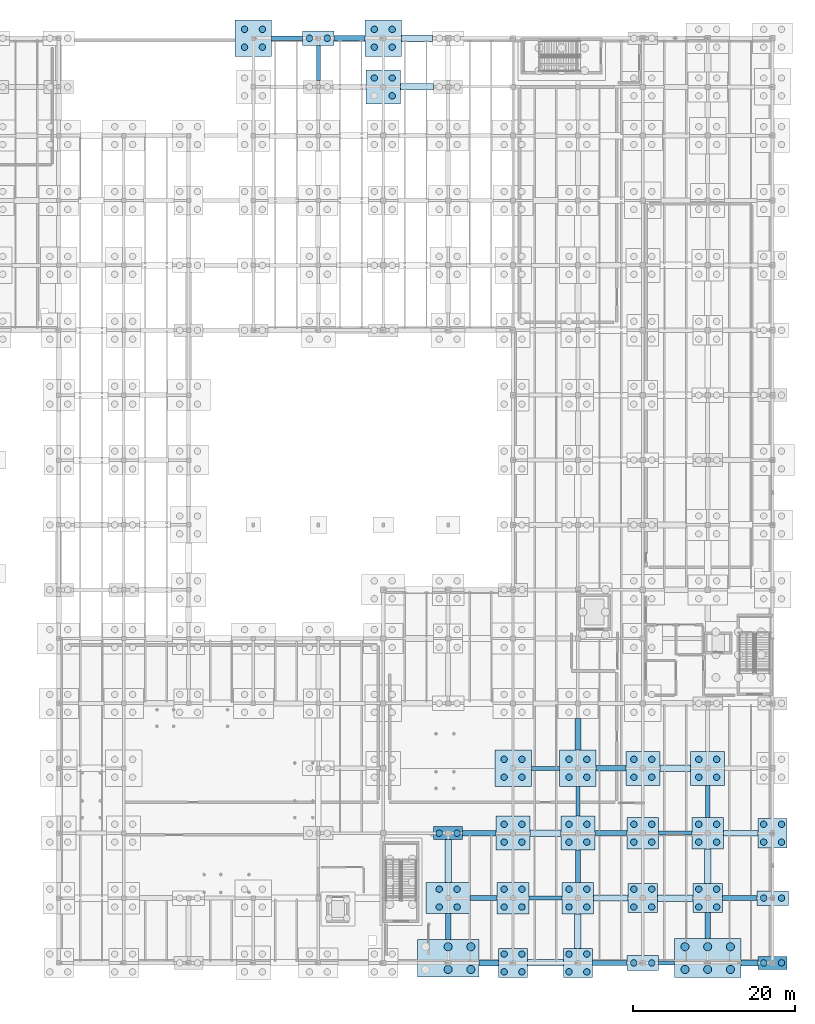
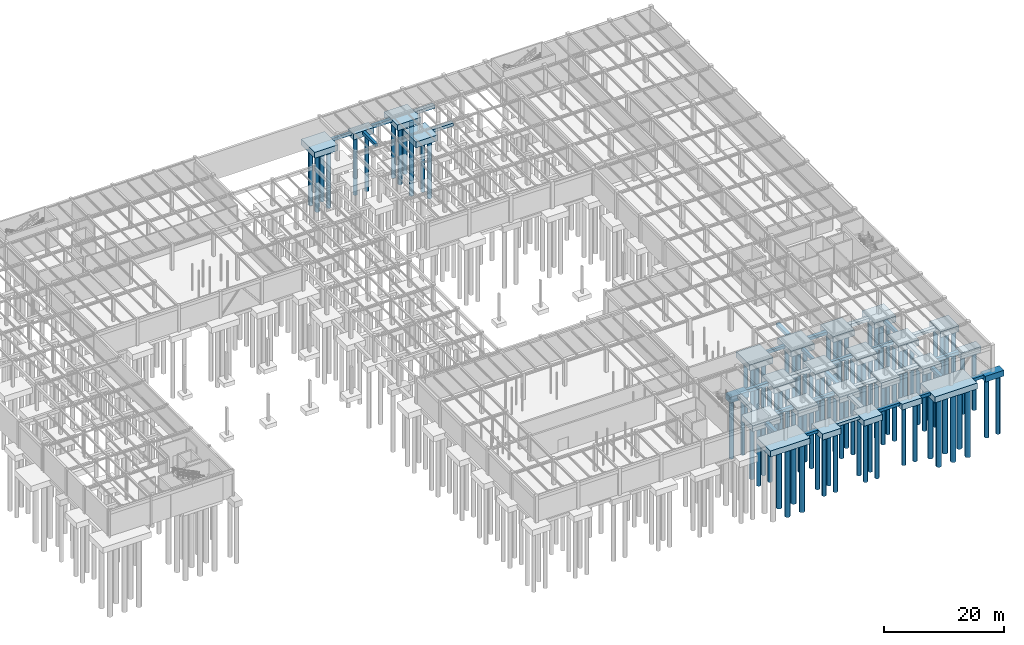
# One storey, part 7 of 71: 95 piles, 58 footings.
"""IFC4 building model written with IfcOpenShell, lengths in metres."""

from ifc_helpers import new_model, si_unit, direction, frame, origin, origin_2d, place, context, subcontext, project, spatial, rectangle, circle, extrude, material, material_profile, profile_set, type_object, element, save


model = new_model("IFC4")

# Units and contexts
model_context = context("Model", 3, precision=1e-05, world=origin(), true_north=direction((0.0, 1.0)))
body_context = subcontext(model_context, "Body", "Model", "MODEL_VIEW")
ifc_project = project(units=[si_unit("LENGTHUNIT", "METRE"), si_unit("AREAUNIT", "SQUARE_METRE"), si_unit("VOLUMEUNIT", "CUBIC_METRE"), si_unit("PLANEANGLEUNIT", "RADIAN"), si_unit("MASSUNIT", "GRAM", prefix="KILO")], contexts=[model_context])

# Site, building, storey
site_placement = place(None, origin())
site = spatial("IfcSite", under=ifc_project, at=site_placement, CompositionType="ELEMENT")
building_placement = place(site_placement, origin())
building = spatial("IfcBuilding", under=site, at=building_placement, Name="Sundkrona Museum", CompositionType="ELEMENT")
storey_placement = place(building_placement, frame((0.0, 0.0, -5.39990234375)))
storey = spatial("IfcBuildingStorey", under=building, at=storey_placement, Name="B1", CompositionType="ELEMENT", Elevation=-5.39990234375)

# Footings
ifc_material = material(Name="Concrete C40/50", Category="concrete")
footing_type_1 = type_object("IfcFootingType", Name="GB-500", PredefinedType="FOOTING_BEAM", material=ifc_material)
footing_1_placement = place(storey_placement, frame((154.925048828125, 0.0, -0.7001953125), z_axis=(0.0, 0.0, 1.0), x_axis=(1.0, 0.0, 0.0)))
element("IfcFooting", 1, at=footing_1_placement, inside=storey, type_object=footing_type_1, Name="Ground Tie Beam GB-X-010", PredefinedType="FOOTING_BEAM", context=body_context, shape_type="SweptSolid", body=[
    extrude(rectangle(XDim=1.949951171875, YDim=0.5, at=origin_2d()), origin(), (0.0, 0.0, 1.0), 0.60009765625),
])
for number, where, z_axis, x_axis, name in (
    (2, (140.0, 8.0, -0.7001953125), (0.0, 0.0, 1.0), (1.0, 0.0, 0.0), "Ground Tie Beam GB-X-018"),
    (3, (156.0, 16.0, -0.7001953125), (0.0, 0.0, 1.0), (1.0, 0.0, 0.0), "Ground Tie Beam GB-X-026"),
):
    element("IfcFooting", number, at=place(storey_placement, frame(where, z_axis=z_axis, x_axis=x_axis)), inside=storey, type_object=footing_type_1, Name=name, PredefinedType="FOOTING_BEAM", context=body_context, shape_type="SweptSolid", body=[
        extrude(rectangle(XDim=4.10009765625, YDim=0.5, at=origin_2d()), origin(), (0.0, 0.0, 1.0), 0.60009765625),
    ])
footing_2_placement = place(storey_placement, frame((140.0, 24.0, -0.7001953125), z_axis=(0.0, 0.0, 1.0), x_axis=(1.0, 0.0, 0.0)))
element("IfcFooting", 4, at=footing_2_placement, inside=storey, type_object=footing_type_1, Name="Ground Tie Beam GB-X-030", PredefinedType="FOOTING_BEAM", context=body_context, shape_type="SweptSolid", body=[
    extrude(rectangle(XDim=3.5, YDim=0.5, at=origin_2d()), origin(), (0.0, 0.0, 1.0), 0.60009765625),
])
footing_3_placement = place(storey_placement, frame((108.14990234375, 114.0, -0.7001953125), z_axis=(0.0, 0.0, 1.0), x_axis=(1.0, 0.0, 0.0)))
element("IfcFooting", 5, at=footing_3_placement, inside=storey, type_object=footing_type_1, Name="Ground Tie Beam GB-X-190", PredefinedType="FOOTING_BEAM", context=body_context, shape_type="SweptSolid", body=[
    extrude(rectangle(XDim=3.800048828125, YDim=0.5, at=origin_2d()), origin(), (0.0, 0.0, 1.0), 0.60009765625),
])
footing_4_placement = place(storey_placement, frame((112.0, 110.949951171875, -0.7001953125), z_axis=(0.0, 0.0, 1.0), x_axis=(0.0, 1.0, 0.0)))
element("IfcFooting", 6, at=footing_4_placement, inside=storey, type_object=footing_type_1, Name="Ground Tie Beam GB-Y-258", PredefinedType="FOOTING_BEAM", context=body_context, shape_type="SweptSolid", body=[
    extrude(rectangle(XDim=4.300048828125, YDim=0.5, at=origin_2d()), origin(), (0.0, 0.0, 1.0), 0.60009765625),
])
footing_5_placement = place(storey_placement, frame((144.0, 19.925048828125, -0.7001953125), z_axis=(0.0, 0.0, 1.0), x_axis=(0.0, 1.0, 0.0)))
element("IfcFooting", 7, at=footing_5_placement, inside=storey, type_object=footing_type_1, Name="Ground Tie Beam GB-Y-270", PredefinedType="FOOTING_BEAM", context=body_context, shape_type="SweptSolid", body=[
    extrude(rectangle(XDim=3.64990234375, YDim=0.5, at=origin_2d()), origin(), (0.0, 0.0, 1.0), 0.60009765625),
])
footing_type_2 = type_object("IfcFootingType", Name="GB-600", PredefinedType="FOOTING_BEAM", material=ifc_material)
footing_6_placement = place(storey_placement, frame((147.925048828125, 0.0, -0.7001953125), z_axis=(0.0, 0.0, 1.0), x_axis=(1.0, 0.0, 0.0)))
element("IfcFooting", 8, at=footing_6_placement, inside=storey, type_object=footing_type_2, Name="Ground Tie Beam GB-X-009", PredefinedType="FOOTING_BEAM", context=body_context, shape_type="SweptSolid", body=[
    extrude(rectangle(XDim=4.25, YDim=0.60009765625, at=origin_2d()), origin(), (0.0, 0.0, 1.0), 0.60009765625),
])
footing_7_placement = place(storey_placement, frame((132.375, 8.0, -0.7001953125), z_axis=(0.0, 0.0, 1.0), x_axis=(1.0, 0.0, 0.0)))
element("IfcFooting", 9, at=footing_7_placement, inside=storey, type_object=footing_type_2, Name="Ground Tie Beam GB-X-017", PredefinedType="FOOTING_BEAM", context=body_context, shape_type="SweptSolid", body=[
    extrude(rectangle(XDim=3.35009765625, YDim=0.60009765625, at=origin_2d()), origin(), (0.0, 0.0, 1.0), 0.60009765625),
])
footing_8_placement = place(storey_placement, frame((163.925048828125, 8.0, -0.7001953125), z_axis=(0.0, 0.0, 1.0), x_axis=(1.0, 0.0, 0.0)))
element("IfcFooting", 10, at=footing_8_placement, inside=storey, type_object=footing_type_2, Name="Ground Tie Beam GB-X-021", PredefinedType="FOOTING_BEAM", context=body_context, shape_type="SweptSolid", body=[
    extrude(rectangle(XDim=4.25, YDim=0.60009765625, at=origin_2d()), origin(), (0.0, 0.0, 1.0), 0.60009765625),
])
for number, where, z_axis, x_axis, name in (
    (11, (148.074951171875, 16.0, -0.7001953125), (0.0, 0.0, 1.0), (1.0, 0.0, 0.0), "Ground Tie Beam GB-X-025"),
    (12, (144.0, 11.925048828125, -0.7001953125), (0.0, 0.0, 1.0), (0.0, 1.0, 0.0), "Ground Tie Beam GB-Y-269"),
    (13, (160.0, 19.925048828125, -0.7001953125), (0.0, 0.0, 1.0), (0.0, 1.0, 0.0), "Ground Tie Beam GB-Y-281"),
):
    element("IfcFooting", number, at=place(storey_placement, frame(where, z_axis=z_axis, x_axis=x_axis)), inside=storey, type_object=footing_type_2, Name=name, PredefinedType="FOOTING_BEAM", context=body_context, shape_type="SweptSolid", body=[
        extrude(rectangle(XDim=3.949951171875, YDim=0.60009765625, at=origin_2d()), origin(), (0.0, 0.0, 1.0), 0.60009765625),
    ])
footing_type_3 = type_object("IfcFootingType", Name="GB-700", PredefinedType="FOOTING_BEAM", material=ifc_material)
footing_9_placement = place(storey_placement, frame((133.0, 0.0, -0.7001953125), z_axis=(0.0, 0.0, 1.0), x_axis=(1.0, 0.0, 0.0)))
element("IfcFooting", 14, at=footing_9_placement, inside=storey, type_object=footing_type_3, Name="Ground Tie Beam GB-X-007", PredefinedType="FOOTING_BEAM", context=body_context, shape_type="SweptSolid", body=[
    extrude(rectangle(XDim=2.39990234375, YDim=0.699951171875, at=origin_2d()), origin(), (0.0, 0.0, 1.0), 0.60009765625),
])
footing_10_placement = place(storey_placement, frame((165.14990234375, 0.0, -0.7001953125), z_axis=(0.0, 0.0, 1.0), x_axis=(1.0, 0.0, 0.0)))
element("IfcFooting", 15, at=footing_10_placement, inside=storey, type_object=footing_type_3, Name="Ground Tie Beam GB-X-011", PredefinedType="FOOTING_BEAM", context=body_context, shape_type="SweptSolid", body=[
    extrude(rectangle(XDim=2.10009765625, YDim=0.699951171875, at=origin_2d()), origin(), (0.0, 0.0, 1.0), 0.60009765625),
])
footing_11_placement = place(storey_placement, frame((148.074951171875, 8.0, -0.7001953125), z_axis=(0.0, 0.0, 1.0), x_axis=(1.0, 0.0, 0.0)))
element("IfcFooting", 16, at=footing_11_placement, inside=storey, type_object=footing_type_3, Name="Ground Tie Beam GB-X-019", PredefinedType="FOOTING_BEAM", context=body_context, shape_type="SweptSolid", body=[
    extrude(rectangle(XDim=4.25, YDim=0.699951171875, at=origin_2d()), origin(), (0.0, 0.0, 1.0), 0.60009765625),
])
footing_12_placement = place(storey_placement, frame((131.85009765625, 16.0, -0.7001953125), z_axis=(0.0, 0.0, 1.0), x_axis=(1.0, 0.0, 0.0)))
element("IfcFooting", 17, at=footing_12_placement, inside=storey, type_object=footing_type_3, Name="Ground Tie Beam GB-X-023", PredefinedType="FOOTING_BEAM", context=body_context, shape_type="SweptSolid", body=[
    extrude(rectangle(XDim=4.10009765625, YDim=0.699951171875, at=origin_2d()), origin(), (0.0, 0.0, 1.0), 0.60009765625),
])
footing_13_placement = place(storey_placement, frame((164.074951171875, 16.0, -0.7001953125), z_axis=(0.0, 0.0, 1.0), x_axis=(1.0, 0.0, 0.0)))
element("IfcFooting", 18, at=footing_13_placement, inside=storey, type_object=footing_type_3, Name="Ground Tie Beam GB-X-027", PredefinedType="FOOTING_BEAM", context=body_context, shape_type="SweptSolid", body=[
    extrude(rectangle(XDim=4.25, YDim=0.699951171875, at=origin_2d()), origin(), (0.0, 0.0, 1.0), 0.60009765625),
])
footing_14_placement = place(storey_placement, frame((148.074951171875, 24.0, -0.7001953125), z_axis=(0.0, 0.0, 1.0), x_axis=(1.0, 0.0, 0.0)))
element("IfcFooting", 19, at=footing_14_placement, inside=storey, type_object=footing_type_3, Name="Ground Tie Beam GB-X-031", PredefinedType="FOOTING_BEAM", context=body_context, shape_type="SweptSolid", body=[
    extrude(rectangle(XDim=3.64990234375, YDim=0.699951171875, at=origin_2d()), origin(), (0.0, 0.0, 1.0), 0.60009765625),
])
footing_15_placement = place(storey_placement, frame((115.85009765625, 114.0, -0.7001953125), z_axis=(0.0, 0.0, 1.0), x_axis=(1.0, 0.0, 0.0)))
element("IfcFooting", 20, at=footing_15_placement, inside=storey, type_object=footing_type_3, Name="Ground Tie Beam GB-X-191", PredefinedType="FOOTING_BEAM", context=body_context, shape_type="SweptSolid", body=[
    extrude(rectangle(XDim=3.800048828125, YDim=0.699951171875, at=origin_2d()), origin(), (0.0, 0.0, 1.0), 0.60009765625),
])
footing_16_placement = place(storey_placement, frame((128.0, 4.5, -0.7001953125), z_axis=(0.0, 0.0, 1.0), x_axis=(0.0, 1.0, 0.0)))
element("IfcFooting", 21, at=footing_16_placement, inside=storey, type_object=footing_type_3, Name="Ground Tie Beam GB-Y-259", PredefinedType="FOOTING_BEAM", context=body_context, shape_type="SweptSolid", body=[
    extrude(rectangle(XDim=3.199951171875, YDim=0.699951171875, at=origin_2d()), origin(), (0.0, 0.0, 1.0), 0.60009765625),
])
footing_17_placement = place(storey_placement, frame((144.0, 28.199951171875, -0.7001953125), z_axis=(0.0, 0.0, 1.0), x_axis=(0.0, 1.0, 0.0)))
element("IfcFooting", 22, at=footing_17_placement, inside=storey, type_object=footing_type_3, Name="Ground Tie Beam GB-Y-271", PredefinedType="FOOTING_BEAM", context=body_context, shape_type="SweptSolid", body=[
    extrude(rectangle(XDim=3.89990234375, YDim=0.699951171875, at=origin_2d()), origin(), (0.0, 0.0, 1.0), 0.60009765625),
])
footing_18_placement = place(storey_placement, frame((160.0, 4.60009765625, -0.7001953125), z_axis=(0.0, 0.0, 1.0), x_axis=(0.0, 1.0, 0.0)))
element("IfcFooting", 23, at=footing_18_placement, inside=storey, type_object=footing_type_3, Name="Ground Tie Beam GB-Y-279", PredefinedType="FOOTING_BEAM", context=body_context, shape_type="SweptSolid", body=[
    extrude(rectangle(XDim=3.199951171875, YDim=0.699951171875, at=origin_2d()), origin(), (0.0, 0.0, 1.0), 0.60009765625),
])
footing_type_4 = type_object("IfcFootingType", Name="GB-800", PredefinedType="FOOTING_BEAM", material=ifc_material)
for number, where, z_axis, x_axis, name in (
    (24, (140.0, 0.0, -0.7001953125), (0.0, 0.0, 1.0), (1.0, 0.0, 0.0), "Ground Tie Beam GB-X-008"),
    (25, (156.0, 8.0, -0.7001953125), (0.0, 0.0, 1.0), (1.0, 0.0, 0.0), "Ground Tie Beam GB-X-020"),
):
    element("IfcFooting", number, at=place(storey_placement, frame(where, z_axis=z_axis, x_axis=x_axis)), inside=storey, type_object=footing_type_4, Name=name, PredefinedType="FOOTING_BEAM", context=body_context, shape_type="SweptSolid", body=[
        extrude(rectangle(XDim=4.39990234375, YDim=0.800048828125, at=origin_2d()), origin(), (0.0, 0.0, 1.0), 0.60009765625),
    ])
for number, where, z_axis, x_axis, name in (
    (26, (140.0, 16.0, -0.7001953125), (0.0, 0.0, 1.0), (1.0, 0.0, 0.0), "Ground Tie Beam GB-X-024"),
    (27, (156.0, 24.0, -0.7001953125), (0.0, 0.0, 1.0), (1.0, 0.0, 0.0), "Ground Tie Beam GB-X-032"),
):
    element("IfcFooting", number, at=place(storey_placement, frame(where, z_axis=z_axis, x_axis=x_axis)), inside=storey, type_object=footing_type_4, Name=name, PredefinedType="FOOTING_BEAM", context=body_context, shape_type="SweptSolid", body=[
        extrude(rectangle(XDim=3.800048828125, YDim=0.800048828125, at=origin_2d()), origin(), (0.0, 0.0, 1.0), 0.60009765625),
    ])
footing_19_placement = place(storey_placement, frame((124.14990234375, 108.0, -0.7001953125), z_axis=(0.0, 0.0, 1.0), x_axis=(1.0, 0.0, 0.0)))
element("IfcFooting", 28, at=footing_19_placement, inside=storey, type_object=footing_type_4, Name="Ground Tie Beam GB-X-180", PredefinedType="FOOTING_BEAM", context=body_context, shape_type="SweptSolid", body=[
    extrude(rectangle(XDim=4.10009765625, YDim=0.800048828125, at=origin_2d()), origin(), (0.0, 0.0, 1.0), 0.60009765625),
])
footing_20_placement = place(storey_placement, frame((124.14990234375, 114.0, -0.7001953125), z_axis=(0.0, 0.0, 1.0), x_axis=(1.0, 0.0, 0.0)))
element("IfcFooting", 29, at=footing_20_placement, inside=storey, type_object=footing_type_4, Name="Ground Tie Beam GB-X-192", PredefinedType="FOOTING_BEAM", context=body_context, shape_type="SweptSolid", body=[
    extrude(rectangle(XDim=3.800048828125, YDim=0.800048828125, at=origin_2d()), origin(), (0.0, 0.0, 1.0), 0.60009765625),
])
footing_21_placement = place(storey_placement, frame((128.0, 12.550048828125, -0.7001953125), z_axis=(0.0, 0.0, 1.0), x_axis=(0.0, 1.0, 0.0)))
element("IfcFooting", 30, at=footing_21_placement, inside=storey, type_object=footing_type_4, Name="Ground Tie Beam GB-Y-260", PredefinedType="FOOTING_BEAM", context=body_context, shape_type="SweptSolid", body=[
    extrude(rectangle(XDim=5.300048828125, YDim=0.800048828125, at=origin_2d()), origin(), (0.0, 0.0, 1.0), 0.60009765625),
])
for number, where, z_axis, x_axis, name in (
    (31, (144.0, 3.925048828125, -0.7001953125), (0.0, 0.0, 1.0), (0.0, 1.0, 0.0), "Ground Tie Beam GB-Y-268"),
    (32, (160.0, 11.925048828125, -0.7001953125), (0.0, 0.0, 1.0), (0.0, 1.0, 0.0), "Ground Tie Beam GB-Y-280"),
):
    element("IfcFooting", number, at=place(storey_placement, frame(where, z_axis=z_axis, x_axis=x_axis)), inside=storey, type_object=footing_type_4, Name=name, PredefinedType="FOOTING_BEAM", context=body_context, shape_type="SweptSolid", body=[
        extrude(rectangle(XDim=4.25, YDim=0.800048828125, at=origin_2d()), origin(), (0.0, 0.0, 1.0), 0.60009765625),
    ])

# Piles
ifc_material_profile_1 = material_profile(ifc_material, circle(Radius=0.5, at=origin_2d()), Name="PILE D1000")
ifc_profile_set_1 = profile_set([ifc_material_profile_1], Name="Concrete C40/50")
pile_type_1 = type_object("IfcPileType", Name="P-1000", PredefinedType="BORED", material=ifc_profile_set_1)
for number, where, z_axis, x_axis, name in (
    (33, (128.0, -0.800048828125, -1.150146484375), (0.0, 0.0, -1.0), (1.0, 0.0, 0.0), "Bored Pile FC-V1-SW-P02"),
    (34, (130.800048828125, -0.800048828125, -1.150146484375), (0.0, 0.0, -1.0), (1.0, 0.0, 0.0), "Bored Pile FC-V1-SW-P03"),
    (35, (128.0, 2.0, -1.150146484375), (0.0, 0.0, -1.0), (1.0, 0.0, 0.0), "Bored Pile FC-V1-SW-P05"),
    (36, (130.800048828125, 2.0, -1.150146484375), (0.0, 0.0, -1.0), (1.0, 0.0, 0.0), "Bored Pile FC-V1-SW-P06"),
    (37, (157.199951171875, -0.800048828125, -1.150146484375), (0.0, 0.0, -1.0), (1.0, 0.0, 0.0), "Bored Pile FC-V1-SE-P01"),
    (38, (160.0, -0.800048828125, -1.150146484375), (0.0, 0.0, -1.0), (1.0, 0.0, 0.0), "Bored Pile FC-V1-SE-P02"),
    (39, (162.800048828125, -0.800048828125, -1.150146484375), (0.0, 0.0, -1.0), (1.0, 0.0, 0.0), "Bored Pile FC-V1-SE-P03"),
    (40, (157.199951171875, 2.0, -1.150146484375), (0.0, 0.0, -1.0), (1.0, 0.0, 0.0), "Bored Pile FC-V1-SE-P04"),
    (41, (160.0, 2.0, -1.150146484375), (0.0, 0.0, -1.0), (1.0, 0.0, 0.0), "Bored Pile FC-V1-SE-P05"),
    (42, (162.800048828125, 2.0, -1.150146484375), (0.0, 0.0, -1.0), (1.0, 0.0, 0.0), "Bored Pile FC-V1-SE-P06"),
):
    element("IfcPile", number, at=place(storey_placement, frame(where, z_axis=z_axis, x_axis=x_axis)), inside=storey, type_object=pile_type_1, Name=name, PredefinedType="BORED", context=body_context, shape_type="SweptSolid", body=[
        extrude(circle(Radius=0.5, at=origin_2d()), origin(), (0.0, 0.0, 1.0), 14.0),
    ])
ifc_material_profile_2 = material_profile(ifc_material, circle(Radius=0.39990234375, at=origin_2d()), Name="PILE D800")
ifc_profile_set_2 = profile_set([ifc_material_profile_2], Name="Concrete C40/50")
pile_type_2 = type_object("IfcPileType", Name="P-800", PredefinedType="BORED", material=ifc_profile_set_2)
for number, where, z_axis, x_axis, name in (
    (43, (102.89990234375, 112.89990234375, -1.150146484375), (0.0, 0.0, -1.0), (1.0, 0.0, 0.0), "Bored Pile FC-R-14-P01"),
    (44, (105.10009765625, 112.89990234375, -1.150146484375), (0.0, 0.0, -1.0), (1.0, 0.0, 0.0), "Bored Pile FC-R-14-P02"),
    (45, (102.89990234375, 115.10009765625, -1.150146484375), (0.0, 0.0, -1.0), (1.0, 0.0, 0.0), "Bored Pile FC-R-14-P03"),
    (46, (105.10009765625, 115.10009765625, -1.150146484375), (0.0, 0.0, -1.0), (1.0, 0.0, 0.0), "Bored Pile FC-R-14-P04"),
    (47, (110.89990234375, 114.0, -1.150146484375), (0.0, 0.0, -1.0), (1.0, 0.0, 0.0), "Bored Pile FC-R-15-P01"),
    (48, (113.10009765625, 114.0, -1.150146484375), (0.0, 0.0, -1.0), (1.0, 0.0, 0.0), "Bored Pile FC-R-15-P02"),
    (49, (121.10009765625, 106.89990234375, -1.150146484375), (0.0, 0.0, -1.0), (1.0, 0.0, 0.0), "Bored Pile FC-Q-16-P02"),
    (50, (118.89990234375, 109.10009765625, -1.150146484375), (0.0, 0.0, -1.0), (1.0, 0.0, 0.0), "Bored Pile FC-Q-16-P03"),
    (51, (121.10009765625, 109.10009765625, -1.150146484375), (0.0, 0.0, -1.0), (1.0, 0.0, 0.0), "Bored Pile FC-Q-16-P04"),
    (52, (118.89990234375, 112.89990234375, -1.150146484375), (0.0, 0.0, -1.0), (1.0, 0.0, 0.0), "Bored Pile FC-R-16-P01"),
    (53, (121.10009765625, 112.89990234375, -1.150146484375), (0.0, 0.0, -1.0), (1.0, 0.0, 0.0), "Bored Pile FC-R-16-P02"),
    (54, (118.89990234375, 115.10009765625, -1.150146484375), (0.0, 0.0, -1.0), (1.0, 0.0, 0.0), "Bored Pile FC-R-16-P03"),
    (55, (121.10009765625, 115.10009765625, -1.150146484375), (0.0, 0.0, -1.0), (1.0, 0.0, 0.0), "Bored Pile FC-R-16-P04"),
    (56, (126.89990234375, 6.89990234375, -1.150146484375), (0.0, 0.0, -1.0), (1.0, 0.0, 0.0), "Bored Pile FC-B-17-P01"),
    (57, (129.10009765625, 6.89990234375, -1.150146484375), (0.0, 0.0, -1.0), (1.0, 0.0, 0.0), "Bored Pile FC-B-17-P02"),
    (58, (126.89990234375, 9.10009765625, -1.150146484375), (0.0, 0.0, -1.0), (1.0, 0.0, 0.0), "Bored Pile FC-B-17-P03"),
    (59, (129.10009765625, 9.10009765625, -1.150146484375), (0.0, 0.0, -1.0), (1.0, 0.0, 0.0), "Bored Pile FC-B-17-P04"),
    (60, (126.89990234375, 16.0, -1.150146484375), (0.0, 0.0, -1.0), (1.0, 0.0, 0.0), "Bored Pile FC-C-17-P01"),
    (61, (129.10009765625, 16.0, -1.150146484375), (0.0, 0.0, -1.0), (1.0, 0.0, 0.0), "Bored Pile FC-C-17-P02"),
    (62, (134.89990234375, -1.10009765625, -1.150146484375), (0.0, 0.0, -1.0), (1.0, 0.0, 0.0), "Bored Pile FC-A-18-P01"),
    (63, (137.10009765625, -1.10009765625, -1.150146484375), (0.0, 0.0, -1.0), (1.0, 0.0, 0.0), "Bored Pile FC-A-18-P02"),
    (64, (134.89990234375, 1.10009765625, -1.150146484375), (0.0, 0.0, -1.0), (1.0, 0.0, 0.0), "Bored Pile FC-A-18-P03"),
    (65, (137.10009765625, 1.10009765625, -1.150146484375), (0.0, 0.0, -1.0), (1.0, 0.0, 0.0), "Bored Pile FC-A-18-P04"),
    (66, (134.89990234375, 6.89990234375, -1.150146484375), (0.0, 0.0, -1.0), (1.0, 0.0, 0.0), "Bored Pile FC-B-18-P01"),
    (67, (137.10009765625, 6.89990234375, -1.150146484375), (0.0, 0.0, -1.0), (1.0, 0.0, 0.0), "Bored Pile FC-B-18-P02"),
    (68, (134.89990234375, 9.10009765625, -1.150146484375), (0.0, 0.0, -1.0), (1.0, 0.0, 0.0), "Bored Pile FC-B-18-P03"),
    (69, (137.10009765625, 9.10009765625, -1.150146484375), (0.0, 0.0, -1.0), (1.0, 0.0, 0.0), "Bored Pile FC-B-18-P04"),
    (70, (134.89990234375, 14.89990234375, -1.150146484375), (0.0, 0.0, -1.0), (1.0, 0.0, 0.0), "Bored Pile FC-C-18-P01"),
    (71, (137.10009765625, 14.89990234375, -1.150146484375), (0.0, 0.0, -1.0), (1.0, 0.0, 0.0), "Bored Pile FC-C-18-P02"),
    (72, (134.89990234375, 17.10009765625, -1.150146484375), (0.0, 0.0, -1.0), (1.0, 0.0, 0.0), "Bored Pile FC-C-18-P03"),
    (73, (137.10009765625, 17.10009765625, -1.150146484375), (0.0, 0.0, -1.0), (1.0, 0.0, 0.0), "Bored Pile FC-C-18-P04"),
    (74, (134.89990234375, 22.89990234375, -1.150146484375), (0.0, 0.0, -1.0), (1.0, 0.0, 0.0), "Bored Pile FC-D-18-P01"),
    (75, (137.10009765625, 22.89990234375, -1.150146484375), (0.0, 0.0, -1.0), (1.0, 0.0, 0.0), "Bored Pile FC-D-18-P02"),
    (76, (134.89990234375, 25.10009765625, -1.150146484375), (0.0, 0.0, -1.0), (1.0, 0.0, 0.0), "Bored Pile FC-D-18-P03"),
    (77, (137.10009765625, 25.10009765625, -1.150146484375), (0.0, 0.0, -1.0), (1.0, 0.0, 0.0), "Bored Pile FC-D-18-P04"),
    (78, (142.89990234375, -1.10009765625, -1.150146484375), (0.0, 0.0, -1.0), (1.0, 0.0, 0.0), "Bored Pile FC-A-19-P01"),
    (79, (145.10009765625, -1.10009765625, -1.150146484375), (0.0, 0.0, -1.0), (1.0, 0.0, 0.0), "Bored Pile FC-A-19-P02"),
    (80, (142.89990234375, 1.10009765625, -1.150146484375), (0.0, 0.0, -1.0), (1.0, 0.0, 0.0), "Bored Pile FC-A-19-P03"),
    (81, (145.10009765625, 1.10009765625, -1.150146484375), (0.0, 0.0, -1.0), (1.0, 0.0, 0.0), "Bored Pile FC-A-19-P04"),
    (82, (142.89990234375, 6.89990234375, -1.150146484375), (0.0, 0.0, -1.0), (1.0, 0.0, 0.0), "Bored Pile FC-B-19-P01"),
    (83, (145.10009765625, 6.89990234375, -1.150146484375), (0.0, 0.0, -1.0), (1.0, 0.0, 0.0), "Bored Pile FC-B-19-P02"),
    (84, (142.89990234375, 9.10009765625, -1.150146484375), (0.0, 0.0, -1.0), (1.0, 0.0, 0.0), "Bored Pile FC-B-19-P03"),
    (85, (145.10009765625, 9.10009765625, -1.150146484375), (0.0, 0.0, -1.0), (1.0, 0.0, 0.0), "Bored Pile FC-B-19-P04"),
    (86, (142.89990234375, 14.89990234375, -1.150146484375), (0.0, 0.0, -1.0), (1.0, 0.0, 0.0), "Bored Pile FC-C-19-P01"),
    (87, (145.10009765625, 14.89990234375, -1.150146484375), (0.0, 0.0, -1.0), (1.0, 0.0, 0.0), "Bored Pile FC-C-19-P02"),
    (88, (142.89990234375, 17.10009765625, -1.150146484375), (0.0, 0.0, -1.0), (1.0, 0.0, 0.0), "Bored Pile FC-C-19-P03"),
    (89, (145.10009765625, 17.10009765625, -1.150146484375), (0.0, 0.0, -1.0), (1.0, 0.0, 0.0), "Bored Pile FC-C-19-P04"),
    (90, (142.89990234375, 22.89990234375, -1.150146484375), (0.0, 0.0, -1.0), (1.0, 0.0, 0.0), "Bored Pile FC-D-19-P01"),
    (91, (145.10009765625, 22.89990234375, -1.150146484375), (0.0, 0.0, -1.0), (1.0, 0.0, 0.0), "Bored Pile FC-D-19-P02"),
    (92, (142.89990234375, 25.10009765625, -1.150146484375), (0.0, 0.0, -1.0), (1.0, 0.0, 0.0), "Bored Pile FC-D-19-P03"),
    (93, (145.10009765625, 25.10009765625, -1.150146484375), (0.0, 0.0, -1.0), (1.0, 0.0, 0.0), "Bored Pile FC-D-19-P04"),
    (94, (150.89990234375, 0.0, -1.150146484375), (0.0, 0.0, -1.0), (1.0, 0.0, 0.0), "Bored Pile FC-A-20-P01"),
    (95, (153.10009765625, 0.0, -1.150146484375), (0.0, 0.0, -1.0), (1.0, 0.0, 0.0), "Bored Pile FC-A-20-P02"),
    (96, (150.89990234375, 6.89990234375, -1.150146484375), (0.0, 0.0, -1.0), (1.0, 0.0, 0.0), "Bored Pile FC-B-20-P01"),
    (97, (153.10009765625, 6.89990234375, -1.150146484375), (0.0, 0.0, -1.0), (1.0, 0.0, 0.0), "Bored Pile FC-B-20-P02"),
    (98, (150.89990234375, 9.10009765625, -1.150146484375), (0.0, 0.0, -1.0), (1.0, 0.0, 0.0), "Bored Pile FC-B-20-P03"),
    (99, (153.10009765625, 9.10009765625, -1.150146484375), (0.0, 0.0, -1.0), (1.0, 0.0, 0.0), "Bored Pile FC-B-20-P04"),
    (100, (150.89990234375, 14.89990234375, -1.150146484375), (0.0, 0.0, -1.0), (1.0, 0.0, 0.0), "Bored Pile FC-C-20-P01"),
    (101, (153.10009765625, 14.89990234375, -1.150146484375), (0.0, 0.0, -1.0), (1.0, 0.0, 0.0), "Bored Pile FC-C-20-P02"),
    (102, (150.89990234375, 17.10009765625, -1.150146484375), (0.0, 0.0, -1.0), (1.0, 0.0, 0.0), "Bored Pile FC-C-20-P03"),
    (103, (153.10009765625, 17.10009765625, -1.150146484375), (0.0, 0.0, -1.0), (1.0, 0.0, 0.0), "Bored Pile FC-C-20-P04"),
    (104, (150.89990234375, 22.89990234375, -1.150146484375), (0.0, 0.0, -1.0), (1.0, 0.0, 0.0), "Bored Pile FC-D-20-P01"),
    (105, (153.10009765625, 22.89990234375, -1.150146484375), (0.0, 0.0, -1.0), (1.0, 0.0, 0.0), "Bored Pile FC-D-20-P02"),
    (106, (150.89990234375, 25.10009765625, -1.150146484375), (0.0, 0.0, -1.0), (1.0, 0.0, 0.0), "Bored Pile FC-D-20-P03"),
    (107, (153.10009765625, 25.10009765625, -1.150146484375), (0.0, 0.0, -1.0), (1.0, 0.0, 0.0), "Bored Pile FC-D-20-P04"),
    (108, (158.89990234375, 6.89990234375, -1.150146484375), (0.0, 0.0, -1.0), (1.0, 0.0, 0.0), "Bored Pile FC-B-21-P01"),
    (109, (161.10009765625, 6.89990234375, -1.150146484375), (0.0, 0.0, -1.0), (1.0, 0.0, 0.0), "Bored Pile FC-B-21-P02"),
    (110, (158.89990234375, 9.10009765625, -1.150146484375), (0.0, 0.0, -1.0), (1.0, 0.0, 0.0), "Bored Pile FC-B-21-P03"),
    (111, (161.10009765625, 9.10009765625, -1.150146484375), (0.0, 0.0, -1.0), (1.0, 0.0, 0.0), "Bored Pile FC-B-21-P04"),
    (112, (158.89990234375, 14.89990234375, -1.150146484375), (0.0, 0.0, -1.0), (1.0, 0.0, 0.0), "Bored Pile FC-C-21-P01"),
    (113, (161.10009765625, 14.89990234375, -1.150146484375), (0.0, 0.0, -1.0), (1.0, 0.0, 0.0), "Bored Pile FC-C-21-P02"),
    (114, (158.89990234375, 17.10009765625, -1.150146484375), (0.0, 0.0, -1.0), (1.0, 0.0, 0.0), "Bored Pile FC-C-21-P03"),
    (115, (161.10009765625, 17.10009765625, -1.150146484375), (0.0, 0.0, -1.0), (1.0, 0.0, 0.0), "Bored Pile FC-C-21-P04"),
    (116, (158.89990234375, 22.89990234375, -1.150146484375), (0.0, 0.0, -1.0), (1.0, 0.0, 0.0), "Bored Pile FC-D-21-P01"),
    (117, (161.10009765625, 22.89990234375, -1.150146484375), (0.0, 0.0, -1.0), (1.0, 0.0, 0.0), "Bored Pile FC-D-21-P02"),
    (118, (158.89990234375, 25.10009765625, -1.150146484375), (0.0, 0.0, -1.0), (1.0, 0.0, 0.0), "Bored Pile FC-D-21-P03"),
    (119, (161.10009765625, 25.10009765625, -1.150146484375), (0.0, 0.0, -1.0), (1.0, 0.0, 0.0), "Bored Pile FC-D-21-P04"),
    (120, (166.89990234375, 0.0, -1.150146484375), (0.0, 0.0, -1.0), (1.0, 0.0, 0.0), "Bored Pile FC-A-22-P01"),
    (121, (169.10009765625, 0.0, -1.150146484375), (0.0, 0.0, -1.0), (1.0, 0.0, 0.0), "Bored Pile FC-A-22-P02"),
    (122, (166.89990234375, 8.0, -1.150146484375), (0.0, 0.0, -1.0), (1.0, 0.0, 0.0), "Bored Pile FC-B-22-P01"),
    (123, (169.10009765625, 8.0, -1.150146484375), (0.0, 0.0, -1.0), (1.0, 0.0, 0.0), "Bored Pile FC-B-22-P02"),
    (124, (166.89990234375, 14.89990234375, -1.150146484375), (0.0, 0.0, -1.0), (1.0, 0.0, 0.0), "Bored Pile FC-C-22-P01"),
    (125, (169.10009765625, 14.89990234375, -1.150146484375), (0.0, 0.0, -1.0), (1.0, 0.0, 0.0), "Bored Pile FC-C-22-P02"),
    (126, (166.89990234375, 17.10009765625, -1.150146484375), (0.0, 0.0, -1.0), (1.0, 0.0, 0.0), "Bored Pile FC-C-22-P03"),
    (127, (169.10009765625, 17.10009765625, -1.150146484375), (0.0, 0.0, -1.0), (1.0, 0.0, 0.0), "Bored Pile FC-C-22-P04"),
):
    element("IfcPile", number, at=place(storey_placement, frame(where, z_axis=z_axis, x_axis=x_axis)), inside=storey, type_object=pile_type_2, Name=name, PredefinedType="BORED", context=body_context, shape_type="SweptSolid", body=[
        extrude(circle(Radius=0.39990234375, at=origin_2d()), origin(), (0.0, 0.0, 1.0), 12.0),
    ])

# Footings
footing_type_5 = type_object("IfcFootingType", Name="PC-2A", PredefinedType="PILE_CAP", material=ifc_material)
for number, where, z_axis, x_axis, name in (
    (128, (128.0, 16.0, -1.30029296875), (0.0, 0.0, 1.0), (1.0, 0.0, 0.0), "Column Pile Cap C/17"),
    (129, (168.0, 0.0, -1.30029296875), (0.0, 0.0, 1.0), (1.0, 0.0, 0.0), "Column Pile Cap A/22"),
):
    element("IfcFooting", number, at=place(storey_placement, frame(where, z_axis=z_axis, x_axis=x_axis)), inside=storey, type_object=footing_type_5, Name=name, PredefinedType="PILE_CAP", context=body_context, shape_type="SweptSolid", body=[
        extrude(rectangle(XDim=3.60009765625, YDim=1.60009765625, at=origin_2d()), origin(), (0.0, 0.0, 1.0), 1.199951171875),
    ])
footing_type_6 = type_object("IfcFootingType", Name="PC-2B", PredefinedType="PILE_CAP", material=ifc_material)
for number, where, z_axis, x_axis, name in (
    (130, (112.0, 114.0, -1.30029296875), (0.0, 0.0, 1.0), (1.0, 0.0, 0.0), "Column Pile Cap R/15"),
    (131, (152.0, 0.0, -1.30029296875), (0.0, 0.0, 1.0), (1.0, 0.0, 0.0), "Column Pile Cap A/20"),
    (132, (168.0, 8.0, -1.30029296875), (0.0, 0.0, 1.0), (1.0, 0.0, 0.0), "Column Pile Cap B/22"),
):
    element("IfcFooting", number, at=place(storey_placement, frame(where, z_axis=z_axis, x_axis=x_axis)), inside=storey, type_object=footing_type_6, Name=name, PredefinedType="PILE_CAP", context=body_context, shape_type="SweptSolid", body=[
        extrude(rectangle(XDim=3.89990234375, YDim=1.800048828125, at=origin_2d()), origin(), (0.0, 0.0, 1.0), 1.199951171875),
    ])
footing_type_7 = type_object("IfcFootingType", Name="PC-4A", PredefinedType="PILE_CAP", material=ifc_material)
for number, where, z_axis, x_axis, name in (
    (133, (136.0, 0.0, -1.30029296875), (0.0, 0.0, 1.0), (1.0, 0.0, 0.0), "Column Pile Cap A/18"),
    (134, (144.0, 0.0, -1.30029296875), (0.0, 0.0, 1.0), (1.0, 0.0, 0.0), "Column Pile Cap A/19"),
    (135, (152.0, 8.0, -1.30029296875), (0.0, 0.0, 1.0), (1.0, 0.0, 0.0), "Column Pile Cap B/20"),
    (136, (160.0, 8.0, -1.30029296875), (0.0, 0.0, 1.0), (1.0, 0.0, 0.0), "Column Pile Cap B/21"),
    (137, (168.0, 16.0, -1.30029296875), (0.0, 0.0, 1.0), (1.0, 0.0, 0.0), "Column Pile Cap C/22"),
):
    element("IfcFooting", number, at=place(storey_placement, frame(where, z_axis=z_axis, x_axis=x_axis)), inside=storey, type_object=footing_type_7, Name=name, PredefinedType="PILE_CAP", context=body_context, shape_type="SweptSolid", body=[
        extrude(rectangle(XDim=3.60009765625, YDim=3.60009765625, at=origin_2d()), origin(), (0.0, 0.0, 1.0), 1.199951171875),
    ])
footing_type_8 = type_object("IfcFootingType", Name="PC-4B", PredefinedType="PILE_CAP", material=ifc_material)
for number, where, z_axis, x_axis, name in (
    (138, (136.0, 8.0, -1.30029296875), (0.0, 0.0, 1.0), (1.0, 0.0, 0.0), "Column Pile Cap B/18"),
    (139, (144.0, 8.0, -1.30029296875), (0.0, 0.0, 1.0), (1.0, 0.0, 0.0), "Column Pile Cap B/19"),
    (140, (152.0, 16.0, -1.30029296875), (0.0, 0.0, 1.0), (1.0, 0.0, 0.0), "Column Pile Cap C/20"),
    (141, (160.0, 16.0, -1.30029296875), (0.0, 0.0, 1.0), (1.0, 0.0, 0.0), "Column Pile Cap C/21"),
):
    element("IfcFooting", number, at=place(storey_placement, frame(where, z_axis=z_axis, x_axis=x_axis)), inside=storey, type_object=footing_type_8, Name=name, PredefinedType="PILE_CAP", context=body_context, shape_type="SweptSolid", body=[
        extrude(rectangle(XDim=3.89990234375, YDim=3.89990234375, at=origin_2d()), origin(), (0.0, 0.0, 1.0), 1.199951171875),
    ])
footing_type_9 = type_object("IfcFootingType", Name="PC-4C", PredefinedType="PILE_CAP", material=ifc_material)
for number, where, z_axis, x_axis, name in (
    (142, (120.0, 108.0, -1.30029296875), (0.0, 0.0, 1.0), (1.0, 0.0, 0.0), "Column Pile Cap Q/16"),
    (143, (136.0, 16.0, -1.30029296875), (0.0, 0.0, 1.0), (1.0, 0.0, 0.0), "Column Pile Cap C/18"),
    (144, (144.0, 16.0, -1.30029296875), (0.0, 0.0, 1.0), (1.0, 0.0, 0.0), "Column Pile Cap C/19"),
    (145, (152.0, 24.0, -1.30029296875), (0.0, 0.0, 1.0), (1.0, 0.0, 0.0), "Column Pile Cap D/20"),
    (146, (160.0, 24.0, -1.30029296875), (0.0, 0.0, 1.0), (1.0, 0.0, 0.0), "Column Pile Cap D/21"),
):
    element("IfcFooting", number, at=place(storey_placement, frame(where, z_axis=z_axis, x_axis=x_axis)), inside=storey, type_object=footing_type_9, Name=name, PredefinedType="PILE_CAP", context=body_context, shape_type="SweptSolid", body=[
        extrude(rectangle(XDim=4.199951171875, YDim=4.199951171875, at=origin_2d()), origin(), (0.0, 0.0, 1.0), 1.199951171875),
    ])
footing_type_10 = type_object("IfcFootingType", Name="PC-4D", PredefinedType="PILE_CAP", material=ifc_material)
for number, where, z_axis, x_axis, name in (
    (147, (104.0, 114.0, -1.30029296875), (0.0, 0.0, 1.0), (1.0, 0.0, 0.0), "Column Pile Cap R/14"),
    (148, (120.0, 114.0, -1.30029296875), (0.0, 0.0, 1.0), (1.0, 0.0, 0.0), "Column Pile Cap R/16"),
    (149, (136.0, 24.0, -1.30029296875), (0.0, 0.0, 1.0), (1.0, 0.0, 0.0), "Column Pile Cap D/18"),
    (150, (144.0, 24.0, -1.30029296875), (0.0, 0.0, 1.0), (1.0, 0.0, 0.0), "Column Pile Cap D/19"),
):
    element("IfcFooting", number, at=place(storey_placement, frame(where, z_axis=z_axis, x_axis=x_axis)), inside=storey, type_object=footing_type_10, Name=name, PredefinedType="PILE_CAP", context=body_context, shape_type="SweptSolid", body=[
        extrude(rectangle(XDim=4.5, YDim=4.5, at=origin_2d()), origin(), (0.0, 0.0, 1.0), 1.199951171875),
    ])
footing_type_11 = type_object("IfcFootingType", Name="PC-4F", PredefinedType="PILE_CAP", material=ifc_material)
footing_22_placement = place(storey_placement, frame((128.0, 8.0, -1.30029296875), z_axis=(0.0, 0.0, 1.0), x_axis=(1.0, 0.0, 0.0)))
element("IfcFooting", 151, at=footing_22_placement, inside=storey, type_object=footing_type_11, Name="Column Pile Cap B/17", PredefinedType="PILE_CAP", context=body_context, shape_type="SweptSolid", body=[
    extrude(rectangle(XDim=5.39990234375, YDim=3.800048828125, at=origin_2d()), origin(), (0.0, 0.0, 1.0), 1.199951171875),
])
footing_type_12 = type_object("IfcFootingType", Name="PC-6B", PredefinedType="PILE_CAP", material=ifc_material)
footing_23_placement = place(storey_placement, frame((128.0, 0.60009765625, -1.30029296875), z_axis=(0.0, 0.0, 1.0), x_axis=(1.0, 0.0, 0.0)))
element("IfcFooting", 152, at=footing_23_placement, inside=storey, type_object=footing_type_12, Name="Main Hall South-West Portal Cap", PredefinedType="PILE_CAP", context=body_context, shape_type="SweptSolid", body=[
    extrude(rectangle(XDim=7.60009765625, YDim=4.60009765625, at=origin_2d()), origin(), (0.0, 0.0, 1.0), 1.199951171875),
])
footing_type_13 = type_object("IfcFootingType", Name="PC-6C", PredefinedType="PILE_CAP", material=ifc_material)
footing_24_placement = place(storey_placement, frame((160.0, 0.60009765625, -1.30029296875), z_axis=(0.0, 0.0, 1.0), x_axis=(1.0, 0.0, 0.0)))
element("IfcFooting", 153, at=footing_24_placement, inside=storey, type_object=footing_type_13, Name="Main Hall South-East Portal Cap", PredefinedType="PILE_CAP", context=body_context, shape_type="SweptSolid", body=[
    extrude(rectangle(XDim=8.199951171875, YDim=4.800048828125, at=origin_2d()), origin(), (0.0, 0.0, 1.0), 1.199951171875),
])

save(model, "model.ifc")
